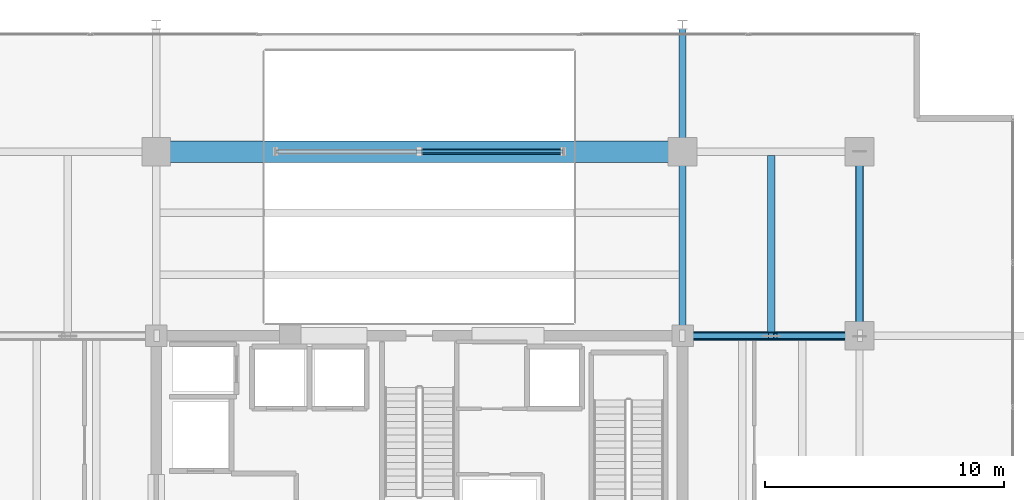
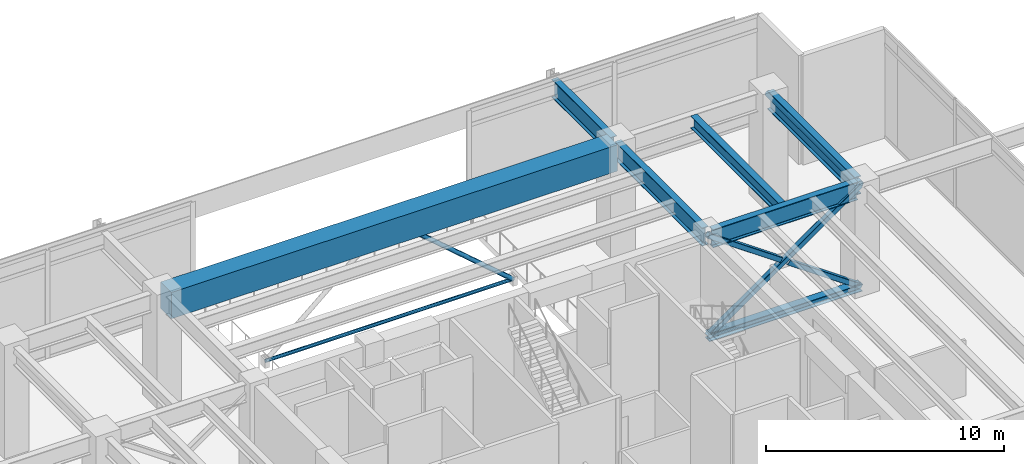
# One storey, part 16 of 26: 7 members, 6 beams.
"""IFC4 building model written with IfcOpenShell, lengths in metres."""

from ifc_helpers import new_model, si_unit, direction, frame, origin, origin_2d, place, context, subcontext, project, spatial, rectangle, hollow_rectangle, hollow_circle, i_section, extrude, material, material_profile, profile_set, type_object, element, save


model = new_model("IFC4")

# Units and contexts
model_context = context("Model", 3, precision=1e-05, world=origin(), true_north=direction((0.0, 1.0)))
body_context = subcontext(model_context, "Body", "Model", "MODEL_VIEW")
ifc_project = project(units=[si_unit("LENGTHUNIT", "METRE"), si_unit("AREAUNIT", "SQUARE_METRE"), si_unit("VOLUMEUNIT", "CUBIC_METRE"), si_unit("PLANEANGLEUNIT", "RADIAN"), si_unit("MASSUNIT", "GRAM", prefix="KILO")], contexts=[model_context])

# Site, building, storey
site_placement = place(None, origin())
site = spatial("IfcSite", under=ifc_project, at=site_placement, CompositionType="ELEMENT")
building_placement = place(site_placement, origin())
building = spatial("IfcBuilding", under=site, at=building_placement, Name="Kovane Verandah Tower", CompositionType="ELEMENT")
storey_placement = place(building_placement, frame((0.0, 0.0, 301.0)))
storey = spatial("IfcBuildingStorey", under=building, at=storey_placement, Name="L70", CompositionType="ELEMENT", Elevation=301.0)

# Beams
ifc_material_1 = material(Name="Concrete C80/95", Category="concrete")
ifc_material_profile_1 = material_profile(ifc_material_1, rectangle(XDim=0.89990234375, YDim=1.35009765625, at=origin_2d()), Name="RCB900x1350")
ifc_profile_set_1 = profile_set([ifc_material_profile_1], Name="Concrete C80/95")
beam_type_1 = type_object("IfcBeamType", Name="BM-TR-900x1350", PredefinedType="BEAM", material=ifc_profile_set_1)
beam_1_placement = place(storey_placement, frame((29.179931640625, 44.199951171875, 4.909912109375), z_axis=(1.0, 0.0, 0.0), x_axis=(0.0, 1.0, 0.0)))
element("IfcBeam", 1, at=beam_1_placement, inside=storey, type_object=beam_type_1, Name="L70 Primary Tower Girder G-RN2", PredefinedType="BEAM", context=body_context, shape_type="SweptSolid", body=[
    extrude(rectangle(XDim=0.89990234375, YDim=1.35009765625, at=origin_2d()), origin(), (0.0, 0.0, 1.0), 21.64013671875),
])
ifc_material_2 = material(Name="Steel S460", Category="steel")
ifc_material_profile_2 = material_profile(ifc_material_2, i_section(OverallWidth=0.311279296875, OverallDepth=0.6357421875, WebThickness=0.018310546875, FlangeThickness=0.031494140625, FilletRadius=0.0166015625, at=origin_2d()), Name="UB610x305x238")
ifc_profile_set_2 = profile_set([ifc_material_profile_2], Name="Steel S460")
beam_type_2 = type_object("IfcBeamType", Name="BM-UB610x238", PredefinedType="BEAM", material=ifc_profile_set_2)
beam_2_placement = place(storey_placement, frame((54.699951171875, 36.65185546875, 5.26708984375), z_axis=(0.0, 1.0, 0.0), x_axis=(-1.0, 0.0, 0.0)))
element("IfcBeam", 2, at=beam_2_placement, inside=storey, type_object=beam_type_2, Name="L70 Secondary Composite Joist J-NE1", PredefinedType="BEAM", context=body_context, shape_type="SweptSolid", body=[
    extrude(i_section(OverallWidth=0.311279296875, OverallDepth=0.6357421875, WebThickness=0.018310546875, FlangeThickness=0.031494140625, FilletRadius=0.0166015625, at=origin_2d()), origin(), (0.0, 0.0, 1.0), 7.396240234375),
])
ifc_material_profile_3 = material_profile(ifc_material_2, i_section(OverallWidth=0.3076171875, OverallDepth=0.926513671875, WebThickness=0.01953125, FlangeThickness=0.031982421875, FilletRadius=0.01904296875, at=origin_2d()), Name="UB914x305x289")
ifc_profile_set_3 = profile_set([ifc_material_profile_3], Name="Steel S460")
beam_type_3 = type_object("IfcBeamType", Name="BM-UB914x289", PredefinedType="BEAM", material=ifc_profile_set_3)
beam_3_placement = place(storey_placement, frame((58.39990234375, 36.679931640625, 5.12158203125), z_axis=(0.0, 1.0, 0.0), x_axis=(-1.0, 0.0, 0.0)))
element("IfcBeam", 3, at=beam_3_placement, inside=storey, type_object=beam_type_3, Name="L70 Primary Tower Girder G-RE3", PredefinedType="BEAM", context=body_context, shape_type="SweptSolid", body=[
    extrude(i_section(OverallWidth=0.3076171875, OverallDepth=0.926513671875, WebThickness=0.01953125, FlangeThickness=0.031982421875, FilletRadius=0.01904296875, at=origin_2d()), origin(), (0.0, 0.0, 1.0), 7.340087890625),
])
beam_4_placement = place(storey_placement, frame((51.179931640625, 36.5, 5.12158203125), z_axis=(1.0, 0.0, 0.0), x_axis=(0.0, 1.0, 0.0)))
element("IfcBeam", 4, at=beam_4_placement, inside=storey, type_object=beam_type_3, Name="L70 Primary Tower Girder G-E2", PredefinedType="BEAM", context=body_context, shape_type="SweptSolid", body=[
    extrude(i_section(OverallWidth=0.3076171875, OverallDepth=0.926513671875, WebThickness=0.01953125, FlangeThickness=0.031982421875, FilletRadius=0.01904296875, at=origin_2d()), origin(), (0.0, 0.0, 1.0), 7.0400390625),
])
beam_5_placement = place(storey_placement, frame((51.0, 36.679931640625, 5.12158203125), z_axis=(0.0, 1.0, 0.0), x_axis=(-1.0, 0.0, 0.0)))
element("IfcBeam", 5, at=beam_5_placement, inside=storey, type_object=beam_type_3, Name="L70 Primary Tower Girder G-N2", PredefinedType="BEAM", context=body_context, shape_type="SweptSolid", body=[
    extrude(i_section(OverallWidth=0.3076171875, OverallDepth=0.926513671875, WebThickness=0.01953125, FlangeThickness=0.031982421875, FilletRadius=0.01904296875, at=origin_2d()), origin(), (0.0, 0.0, 1.0), 7.340087890625),
])
beam_6_placement = place(storey_placement, frame((51.0, 44.3798828125, 5.0966796875), z_axis=(0.0, 1.0, 0.0), x_axis=(-1.0, 0.0, 0.0)))
element("IfcBeam", 6, at=beam_6_placement, inside=storey, type_object=beam_type_3, Name="L70 Primary Tower Girder G-VN2", PredefinedType="BEAM", context=body_context, shape_type="SweptSolid", body=[
    extrude(i_section(OverallWidth=0.3076171875, OverallDepth=0.926513671875, WebThickness=0.01953125, FlangeThickness=0.031982421875, FilletRadius=0.01904296875, at=origin_2d()), origin(), (0.0, 0.0, 1.0), 4.940185546875),
])

# Members
ifc_material_3 = material(Name="Steel S355", Category="steel")
ifc_material_profile_4 = material_profile(ifc_material_3, hollow_rectangle(XDim=0.25, YDim=0.25, WallThickness=0.012451171875, InnerFilletRadius=0.012451171875, OuterFilletRadius=0.02490234375, at=origin_2d()), Name="SHS250x250x12.5")
ifc_profile_set_4 = profile_set([ifc_material_profile_4], Name="Steel S355")
member_type_1 = type_object("IfcMemberType", Name="MEM-BR-SHS250", PredefinedType="BRACE", material=ifc_profile_set_4)
member_1_placement = place(storey_placement, frame((51.0, 36.5, 0.1201171875), z_axis=(0.818977960496, 0.0, 0.573824973509), x_axis=(0.0, 1.0, 0.0)))
element("IfcMember", 7, at=member_1_placement, inside=storey, type_object=member_type_1, Name="L70 Outrigger Continuous Diagonal OE2", PredefinedType="BRACE", context=body_context, shape_type="SweptSolid", body=[
    extrude(hollow_rectangle(XDim=0.25, YDim=0.25, WallThickness=0.012451171875, InnerFilletRadius=0.012451171875, OuterFilletRadius=0.02490234375, at=origin_2d()), origin(), (0.0, 0.0, 1.0), 9.03564453125),
])
member_2_placement = place(storey_placement, frame((58.39990234375, 36.5, 0.1201171875), z_axis=(-0.818988986866, 0.0, 0.573809236064), x_axis=(0.0, -1.0, 0.0)))
element("IfcMember", 8, at=member_2_placement, inside=storey, type_object=member_type_1, Name="L70 Outrigger Split Diagonal Lower OE2", PredefinedType="BRACE", context=body_context, shape_type="SweptSolid", body=[
    extrude(hollow_rectangle(XDim=0.25, YDim=0.25, WallThickness=0.012451171875, InnerFilletRadius=0.012451171875, OuterFilletRadius=0.02490234375, at=origin_2d()), origin(), (0.0, 0.0, 1.0), 4.297607421875),
])
member_3_placement = place(storey_placement, frame((54.519775390625, 36.5, 2.838623046875), z_axis=(-0.818962290692, 0.0, 0.573847337211), x_axis=(0.0, -1.0, 0.0)))
element("IfcMember", 9, at=member_3_placement, inside=storey, type_object=member_type_1, Name="L70 Outrigger Split Diagonal Upper OE2", PredefinedType="BRACE", context=body_context, shape_type="SweptSolid", body=[
    extrude(hollow_rectangle(XDim=0.25, YDim=0.25, WallThickness=0.012451171875, InnerFilletRadius=0.012451171875, OuterFilletRadius=0.02490234375, at=origin_2d()), origin(), (0.0, 0.0, 1.0), 4.2978515625),
])
ifc_material_profile_5 = material_profile(ifc_material_3, i_section(OverallWidth=0.374755859375, OverallDepth=0.37451171875, WebThickness=0.0166015625, FlangeThickness=0.027099609375, FilletRadius=0.01513671875, at=origin_2d()), Name="UC356x368x202")
ifc_profile_set_5 = profile_set([ifc_material_profile_5], Name="Steel S355")
member_type_2 = type_object("IfcMemberType", Name="MEM-CHORD-UC202", PredefinedType="CHORD", material=ifc_profile_set_5)
member_4_placement = place(storey_placement, frame((51.0, 36.5, 0.1201171875), z_axis=(1.0, 0.0, 0.0), x_axis=(0.0, 1.0, 0.0)))
element("IfcMember", 10, at=member_4_placement, inside=storey, type_object=member_type_2, Name="L70 Outrigger Bottom Chord OE2", PredefinedType="CHORD", context=body_context, shape_type="SweptSolid", body=[
    extrude(i_section(OverallWidth=0.374755859375, OverallDepth=0.37451171875, WebThickness=0.0166015625, FlangeThickness=0.027099609375, FilletRadius=0.01513671875, at=origin_2d()), origin(), (0.0, 0.0, 1.0), 7.39990234375),
])
ifc_material_profile_6 = material_profile(ifc_material_3, hollow_circle(Radius=0.084228515625, WallThickness=0.008056640625, at=origin_2d()), Name="CHS168.3x8")
ifc_profile_set_6 = profile_set([ifc_material_profile_6], Name="Steel S355")
member_type_3 = type_object("IfcMemberType", Name="MEM-STRUT-CHS168", PredefinedType="STRUT", material=ifc_profile_set_6)
member_5_placement = place(storey_placement, frame((34.0, 44.199951171875, 0.1201171875), z_axis=(1.0, 0.0, 0.0), x_axis=(0.0, 1.0, 0.0)))
element("IfcMember", 11, at=member_5_placement, inside=storey, type_object=member_type_3, Name="L70 Wind-Portal Sill Tie", PredefinedType="STRUT", context=body_context, shape_type="SweptSolid", body=[
    extrude(hollow_circle(Radius=0.084228515625, WallThickness=0.008056640625, at=origin_2d()), origin(), (0.0, 0.0, 1.0), 12.0),
])
ifc_material_profile_7 = material_profile(ifc_material_3, hollow_circle(Radius=0.109619140625, WallThickness=0.008056640625, at=origin_2d()), Name="CHS219.1x8")
ifc_profile_set_7 = profile_set([ifc_material_profile_7], Name="Steel S355")
member_type_4 = type_object("IfcMemberType", Name="MEM-STRUT-CHS219", PredefinedType="STRUT", material=ifc_profile_set_7)
member_6_placement = place(storey_placement, frame((46.0, 44.199951171875, 0.1201171875), z_axis=(-0.757885694827, 0.0, 0.652387364667), x_axis=(0.0, -1.0, 0.0)))
element("IfcMember", 12, at=member_6_placement, inside=storey, type_object=member_type_4, Name="L70 Wind-Portal Aerodynamic V-Strut 1B", PredefinedType="STRUT", context=body_context, shape_type="SweptSolid", body=[
    extrude(hollow_circle(Radius=0.109619140625, WallThickness=0.008056640625, at=origin_2d()), origin(), (0.0, 0.0, 1.0), 7.916748046875),
])
ifc_material_profile_8 = material_profile(ifc_material_2, hollow_circle(Radius=0.161865234375, WallThickness=0.012451171875, at=origin_2d()), Name="CHS323.9x12.5")
ifc_profile_set_8 = profile_set([ifc_material_profile_8], Name="Steel S460")
member_type_5 = type_object("IfcMemberType", Name="MEM-STRUT-CHS324", PredefinedType="STRUT", material=ifc_profile_set_8)
member_7_placement = place(storey_placement, frame((58.39990234375, 36.5, 5.304931640625), z_axis=(0.0, 1.0, 0.0), x_axis=(-1.0, 0.0, 0.0)))
element("IfcMember", 13, at=member_7_placement, inside=storey, type_object=member_type_5, Name="L70 Belt-Truss Ring Chord BE2", PredefinedType="STRUT", context=body_context, shape_type="SweptSolid", body=[
    extrude(hollow_circle(Radius=0.161865234375, WallThickness=0.012451171875, at=origin_2d()), origin(), (0.0, 0.0, 1.0), 7.699951171875),
])

save(model, "model.ifc")
